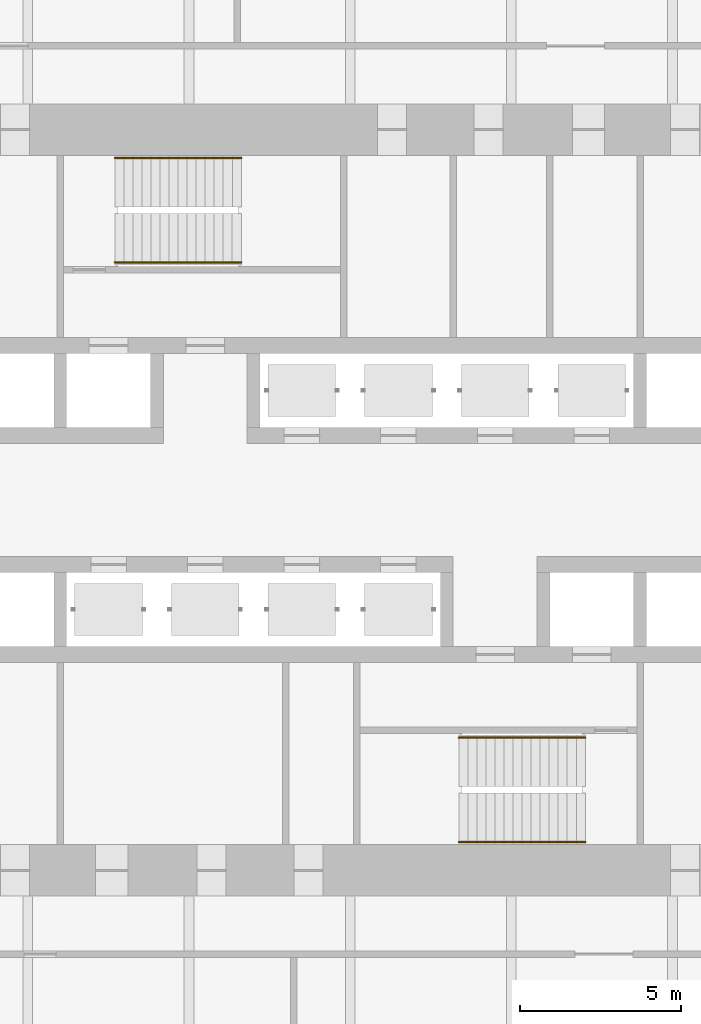
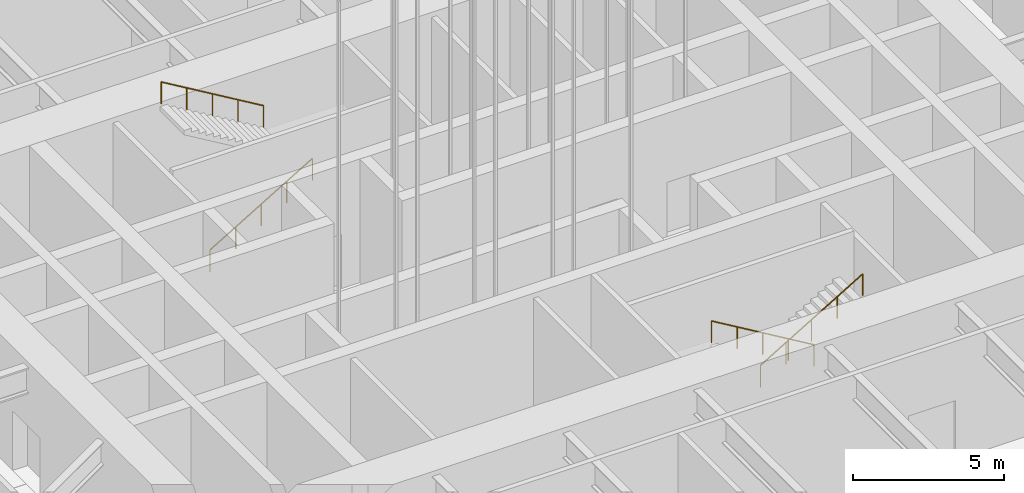
# One storey, part 12 of 15: 4 railings.
"""IFC4 building model written with IfcOpenShell, lengths in metres."""

import ifcopenshell
import ifcopenshell.guid

model = None  # the IFC model being written
_history = None  # IfcOwnerHistory: only IFC2X3 demands one
_inside = {}  # id of a spatial element -> (the spatial element, [elements in it])
_under = {}  # id of a project, library or spatial element -> (it, [spatial elements below it])
_declared = {}  # id of a project -> (the project, [libraries it declares])
_typed = {}  # id of a type object -> (the type object, [elements of that type])
_made_of = {}  # id of a material, layer set ... -> (it, [elements and type objects made of it])


def new_model(schema):
    """Start an empty IFC model of exactly this schema.

    Asked for "IFC4X3", IfcOpenShell would pick the latest addendum, in which some entities
    have other attributes; the version numbers below select the first issue.
    IFC2X3 requires an IfcOwnerHistory on every rooted entity: one is made here for all.
    """
    global model, _history
    if schema == "IFC4X3":
        model = ifcopenshell.file(schema_version=(4, 3, 0, 0))
    else:
        model = ifcopenshell.file(schema=schema)
    _inside.clear()
    _under.clear()
    _declared.clear()
    _typed.clear()
    _made_of.clear()
    _history = None
    if model.schema == "IFC2X3":
        org = make("IfcOrganization", Name="unknown")
        user = make(
            "IfcPersonAndOrganization",
            ThePerson=make("IfcPerson", FamilyName="unknown"),
            TheOrganization=org,
        )
        app = make(
            "IfcApplication",
            ApplicationDeveloper=org,
            Version="unknown",
            ApplicationFullName="unknown",
            ApplicationIdentifier="unknown",
        )
        _history = make(
            "IfcOwnerHistory",
            OwningUser=user,
            OwningApplication=app,
            ChangeAction="ADDED",
            CreationDate=0,
        )
    return model


def make(cls, **values):
    """One entity of the class cls with the attributes given. An attribute that is None is left unset."""
    return model.create_entity(
        cls, **{name: value for name, value in values.items() if value is not None}
    )


def rooted(cls, **values):
    """An entity with a GlobalId (a new one), such as an element, a storey or a relation."""
    return make(cls, GlobalId=ifcopenshell.guid.new(), OwnerHistory=_history, **values)


def si_unit(unit_type, name, prefix=None):
    """IfcSIUnit, for example si_unit("LENGTHUNIT", "METRE", prefix="MILLI")."""
    return make("IfcSIUnit", UnitType=unit_type, Prefix=prefix, Name=name)


def assignment(units):
    """IfcUnitAssignment: the units of a project."""
    return None if units is None else make("IfcUnitAssignment", Units=units)


def point(xyz):
    """IfcCartesianPoint."""
    return None if xyz is None else make("IfcCartesianPoint", Coordinates=xyz)


def direction(xyz):
    """IfcDirection."""
    return None if xyz is None else make("IfcDirection", DirectionRatios=xyz)


def frame(location, z_axis=None, x_axis=None):
    """IfcAxis2Placement3D, a coordinate frame: its origin and axes. An axis left out is left unset."""
    return make(
        "IfcAxis2Placement3D",
        Location=point(location),
        Axis=direction(z_axis),
        RefDirection=direction(x_axis),
    )


def frame_2d(location, x_axis=None):
    """IfcAxis2Placement2D, a coordinate frame in the plane: its origin and x axis."""
    return make(
        "IfcAxis2Placement2D", Location=point(location), RefDirection=direction(x_axis)
    )


def origin():
    """The frame at (0, 0, 0) with its axes left unset."""
    return frame((0.0, 0.0, 0.0))


def origin_2d():
    """The frame at (0, 0) in the plane with its x axis left unset."""
    return frame_2d((0.0, 0.0))


def place(relative_to, where):
    """IfcLocalPlacement: puts the frame where relative to a parent placement (None: the world)."""
    return make(
        "IfcLocalPlacement", PlacementRelTo=relative_to, RelativePlacement=where
    )


def context(
    kind, dimensions, precision=None, world=None, true_north=None, identifier=None
):
    """IfcGeometricRepresentationContext, for example the 3D "Model" context."""
    return make(
        "IfcGeometricRepresentationContext",
        ContextIdentifier=identifier,
        ContextType=kind,
        CoordinateSpaceDimension=dimensions,
        Precision=precision,
        WorldCoordinateSystem=world,
        TrueNorth=true_north,
    )


def subcontext(parent, identifier, kind, view, scale=None):
    """IfcGeometricRepresentationSubContext, for example "Body" below "Model"."""
    return make(
        "IfcGeometricRepresentationSubContext",
        ContextIdentifier=identifier,
        ContextType=kind,
        ParentContext=parent,
        TargetScale=scale,
        TargetView=view,
    )


def project(units=None, contexts=None):
    """IfcProject with its units and contexts."""
    return rooted(
        "IfcProject",
        Name="project",
        RepresentationContexts=contexts,
        UnitsInContext=assignment(units),
    )


def spatial(cls, under=None, at=None, **own):
    """A site, building, storey or space (cls), placed at a placement, below another one or the project."""
    s = rooted(cls, ObjectPlacement=at, **own)
    if under is not None:
        _under.setdefault(under.id(), (under, []))[1].append(s)
    return s


def profile(cls, at=None, kind="AREA", **sizes):
    """A parametric profile (cls). Its sizes go by their IFC names, for example OverallWidth=200.0."""
    return make(cls, ProfileType=kind, Position=at, **sizes)


def circle(**sizes):
    """IfcCircleProfileDef."""
    return profile("IfcCircleProfileDef", **sizes)


def extrude(swept, where, along, depth):
    """IfcExtrudedAreaSolid: the profile swept, set in the frame where, extruded along a direction by depth."""
    return make(
        "IfcExtrudedAreaSolid",
        SweptArea=swept,
        Position=where,
        ExtrudedDirection=direction(along),
        Depth=depth,
    )


def shape(context_of_items, identifier, shape_type, items):
    """IfcShapeRepresentation: the items that make up one representation, for example the "Body"."""
    return make(
        "IfcShapeRepresentation",
        ContextOfItems=context_of_items,
        RepresentationIdentifier=identifier,
        RepresentationType=shape_type,
        Items=items,
    )


def material(Name=None, Category=None):
    """IfcMaterial."""
    return make("IfcMaterial", Name=Name, Category=Category)


def made_of(thing, what):
    """Note that an element or type object is made of a material, layer set ...; save() writes the relation."""
    if what is not None:
        _made_of.setdefault(what.id(), (what, []))[1].append(thing)
    return thing


def type_object(cls, material=None, **own):
    """A type object (cls), such as IfcWallType, which elements share."""
    return made_of(rooted(cls, **own), material)


def element(
    cls,
    number,
    at=None,
    inside=None,
    cuts=None,
    type_object=None,
    material=None,
    context=None,
    identifier="Body",
    shape_type=None,
    held_by="IfcProductDefinitionShape",
    body=None,
    shapes=None,
    **own,
):
    """One element of the class cls, such as IfcWall. Its Tag is "e" and its number.

    at: its placement. inside: the storey or other place that contains it. cuts: it is an
    opening in that element (IfcRelVoidsElement). A single representation is given by context,
    identifier, shape_type and body (its items); several are given by shapes. held_by: the class
    of the entity that holds the representations. save() writes the other relations.
    """
    e = rooted(cls, Tag="e%d" % number, ObjectPlacement=at, **own)
    if body is not None:
        shapes = [shape(context, identifier, shape_type, body)]
    if shapes is not None:
        e.Representation = make(held_by, Representations=shapes)
    if inside is not None:
        _inside.setdefault(inside.id(), (inside, []))[1].append(e)
    if cuts is not None:
        rooted(
            "IfcRelVoidsElement", RelatingBuildingElement=cuts, RelatedOpeningElement=e
        )
    if type_object is not None:
        _typed.setdefault(type_object.id(), (type_object, []))[1].append(e)
    return made_of(e, material)


def aggregate(whole, parts):
    """IfcRelAggregates: a whole, such as a stair, and the parts it consists of."""
    return rooted("IfcRelAggregates", RelatingObject=whole, RelatedObjects=parts)


def save(model, path):
    """Write the relations noted so far, then the file.

    IfcRelAggregates (storeys below a building ...), IfcRelContainedInSpatialStructure (elements
    in a storey), IfcRelDefinesByType, IfcRelAssociatesMaterial and IfcRelDeclares: one each for
    every whole, place, type object, material and project.
    """
    for whole, parts in _under.values():
        aggregate(whole, parts)
    for where, things in _inside.values():
        rooted(
            "IfcRelContainedInSpatialStructure",
            RelatedElements=things,
            RelatingStructure=where,
        )
    for kind, things in _typed.values():
        rooted("IfcRelDefinesByType", RelatedObjects=things, RelatingType=kind)
    for what, things in _made_of.values():
        rooted("IfcRelAssociatesMaterial", RelatedObjects=things, RelatingMaterial=what)
    for by, libraries in _declared.values():
        rooted("IfcRelDeclares", RelatingContext=by, RelatedDefinitions=libraries)
    model.write(path)


model = new_model("IFC4")

# Units and contexts
model_context = context("Model", 3, precision=1e-05, world=origin(), true_north=direction((0.0, 1.0)))
body_context = subcontext(model_context, "Body", "Model", "MODEL_VIEW")
ifc_project = project(units=[si_unit("LENGTHUNIT", "METRE"), si_unit("AREAUNIT", "SQUARE_METRE"), si_unit("VOLUMEUNIT", "CUBIC_METRE"), si_unit("PLANEANGLEUNIT", "RADIAN"), si_unit("MASSUNIT", "GRAM", prefix="KILO")], contexts=[model_context])

# Site, building, storey
site_placement = place(None, origin())
site = spatial("IfcSite", under=ifc_project, at=site_placement, CompositionType="ELEMENT")
building_placement = place(site_placement, origin())
building = spatial("IfcBuilding", under=site, at=building_placement, Name="Tarfa Lantern Tower", CompositionType="ELEMENT")
storey_placement = place(building_placement, frame((0.0, 0.0, 114.5)))
storey = spatial("IfcBuildingStorey", under=building, at=storey_placement, Name="L25", CompositionType="ELEMENT", Elevation=114.5)

# Railings
ifc_material = material(Name="Stainless steel", Category="steel")
railing_type = type_object("IfcRailingType", Name="HR1 HANDRAIL 900", PredefinedType="HANDRAIL", material=ifc_material)
railing_1_placement = place(storey_placement, frame((-7.300048828125, 7.3798828125, 0.166748046875)))
element("IfcRailing", 1, at=railing_1_placement, inside=storey, type_object=railing_type, Name="Handrail 1", PredefinedType="HANDRAIL", context=body_context, shape_type="SweptSolid", body=[
    extrude(circle(Radius=0.02392578125, at=origin_2d()), frame((0.0, 0.0, 0.8759765625), z_axis=(0.859310244771, 0.0, 0.511454693235), x_axis=(0.0, 1.0, 0.0)), (0.0, 0.0, 1.0), 4.56201171875),
    extrude(circle(Radius=0.02099609375, at=origin_2d()), frame((0.0, 0.0, 0.0), z_axis=(0.0, 0.0, 1.0), x_axis=(0.0, 1.0, 0.0)), (0.0, 0.0, 1.0), 0.851806640625),
    extrude(circle(Radius=0.02099609375, at=origin_2d()), frame((0.97998046875, 0.0, 0.583251953125), z_axis=(0.0, 0.0, 1.0), x_axis=(0.0, 1.0, 0.0)), (0.0, 0.0, 1.0), 0.851806640625),
    extrude(circle(Radius=0.02099609375, at=origin_2d()), frame((1.9599609375, 0.0, 1.16650390625), z_axis=(0.0, 0.0, 1.0), x_axis=(0.0, 1.0, 0.0)), (0.0, 0.0, 1.0), 0.851806640625),
    extrude(circle(Radius=0.02099609375, at=origin_2d()), frame((2.940185546875, 0.0, 1.75), z_axis=(0.0, 0.0, 1.0), x_axis=(0.0, 1.0, 0.0)), (0.0, 0.0, 1.0), 0.851806640625),
    extrude(circle(Radius=0.02099609375, at=origin_2d()), frame((3.920166015625, 0.0, 2.333251953125), z_axis=(0.0, 0.0, 1.0), x_axis=(0.0, 1.0, 0.0)), (0.0, 0.0, 1.0), 0.851806640625),
])
for number, where, name in (
    (2, (-3.3798828125, 10.6201171875, 2.666748046875), "Handrail 2"),
    (3, (7.300048828125, -7.3798828125, 0.166748046875), "Handrail 1"),
):
    element("IfcRailing", number, at=place(storey_placement, frame(where)), inside=storey, type_object=railing_type, Name=name, PredefinedType="HANDRAIL", context=body_context, shape_type="SweptSolid", body=[
        extrude(circle(Radius=0.02392578125, at=origin_2d()), frame((0.0, 0.0, 0.8759765625), z_axis=(-0.859310244771, 0.0, 0.511454693235), x_axis=(0.0, -1.0, 0.0)), (0.0, 0.0, 1.0), 4.56201171875),
        extrude(circle(Radius=0.02099609375, at=origin_2d()), frame((0.0, 0.0, 0.0), z_axis=(0.0, 0.0, 1.0), x_axis=(0.0, -1.0, 0.0)), (0.0, 0.0, 1.0), 0.851806640625),
        extrude(circle(Radius=0.02099609375, at=origin_2d()), frame((-0.97998046875, 0.0, 0.583251953125), z_axis=(0.0, 0.0, 1.0), x_axis=(0.0, -1.0, 0.0)), (0.0, 0.0, 1.0), 0.851806640625),
        extrude(circle(Radius=0.02099609375, at=origin_2d()), frame((-1.9599609375, 0.0, 1.16650390625), z_axis=(0.0, 0.0, 1.0), x_axis=(0.0, -1.0, 0.0)), (0.0, 0.0, 1.0), 0.851806640625),
        extrude(circle(Radius=0.02099609375, at=origin_2d()), frame((-2.940185546875, 0.0, 1.75), z_axis=(0.0, 0.0, 1.0), x_axis=(0.0, -1.0, 0.0)), (0.0, 0.0, 1.0), 0.851806640625),
        extrude(circle(Radius=0.02099609375, at=origin_2d()), frame((-3.920166015625, 0.0, 2.333251953125), z_axis=(0.0, 0.0, 1.0), x_axis=(0.0, -1.0, 0.0)), (0.0, 0.0, 1.0), 0.851806640625),
    ])
railing_2_placement = place(storey_placement, frame((3.3798828125, -10.6201171875, 2.666748046875)))
element("IfcRailing", 4, at=railing_2_placement, inside=storey, type_object=railing_type, Name="Handrail 2", PredefinedType="HANDRAIL", context=body_context, shape_type="SweptSolid", body=[
    extrude(circle(Radius=0.02392578125, at=origin_2d()), frame((0.0, 0.0, 0.8759765625), z_axis=(0.859310244771, 0.0, 0.511454693235), x_axis=(0.0, 1.0, 0.0)), (0.0, 0.0, 1.0), 4.56201171875),
    extrude(circle(Radius=0.02099609375, at=origin_2d()), frame((0.0, 0.0, 0.0), z_axis=(0.0, 0.0, 1.0), x_axis=(0.0, 1.0, 0.0)), (0.0, 0.0, 1.0), 0.851806640625),
    extrude(circle(Radius=0.02099609375, at=origin_2d()), frame((0.97998046875, 0.0, 0.583251953125), z_axis=(0.0, 0.0, 1.0), x_axis=(0.0, 1.0, 0.0)), (0.0, 0.0, 1.0), 0.851806640625),
    extrude(circle(Radius=0.02099609375, at=origin_2d()), frame((1.9599609375, 0.0, 1.16650390625), z_axis=(0.0, 0.0, 1.0), x_axis=(0.0, 1.0, 0.0)), (0.0, 0.0, 1.0), 0.851806640625),
    extrude(circle(Radius=0.02099609375, at=origin_2d()), frame((2.940185546875, 0.0, 1.75), z_axis=(0.0, 0.0, 1.0), x_axis=(0.0, 1.0, 0.0)), (0.0, 0.0, 1.0), 0.851806640625),
    extrude(circle(Radius=0.02099609375, at=origin_2d()), frame((3.920166015625, 0.0, 2.333251953125), z_axis=(0.0, 0.0, 1.0), x_axis=(0.0, 1.0, 0.0)), (0.0, 0.0, 1.0), 0.851806640625),
])

save(model, "model.ifc")
